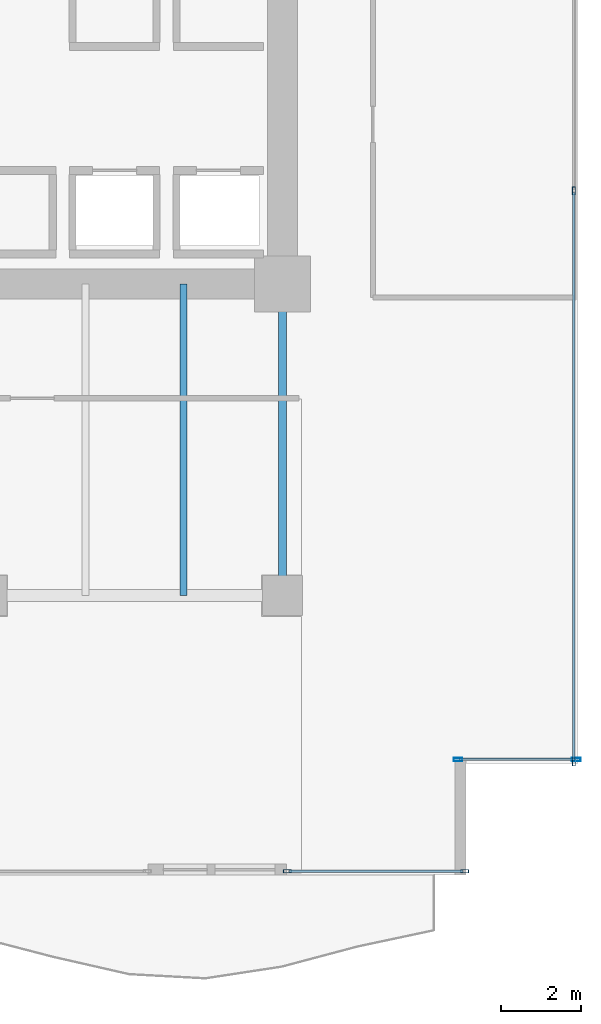
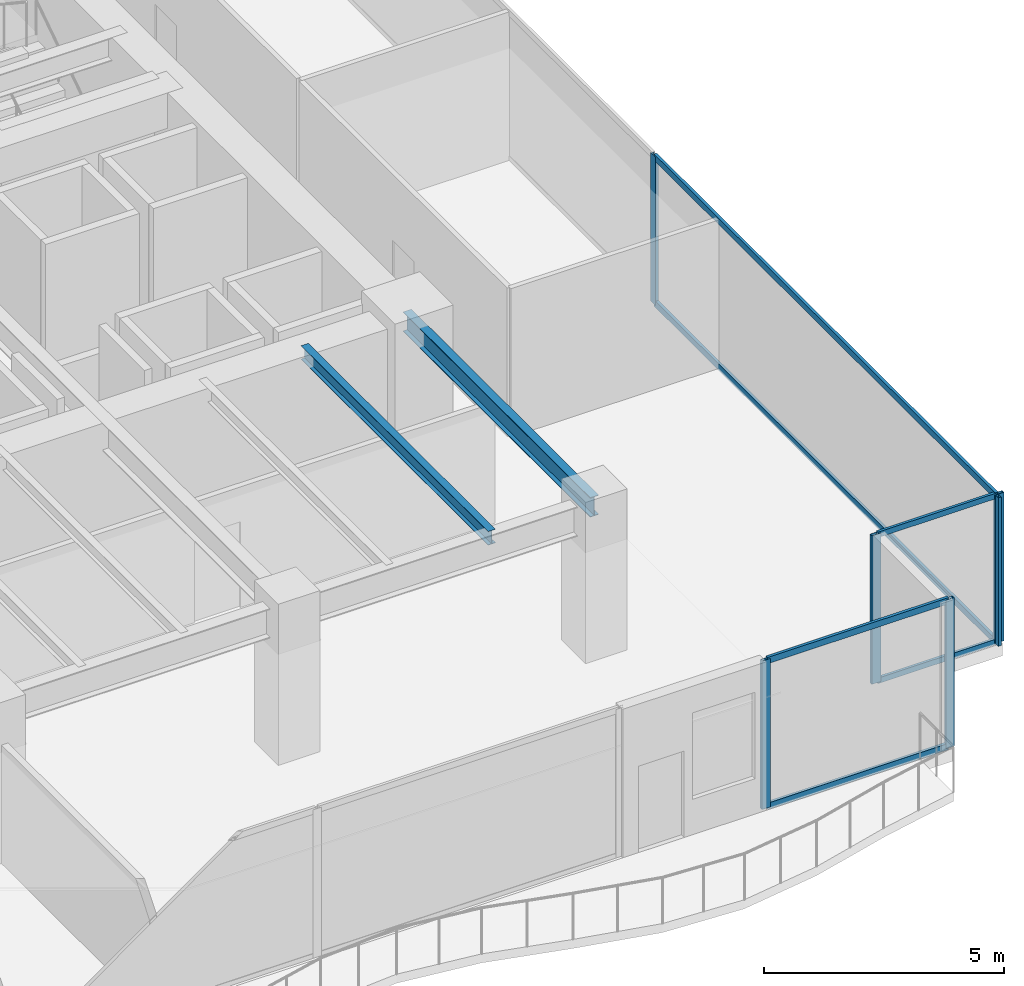
# One storey, part 20 of 32: 12 members, 2 beams, 3 elements without a shape of their own.
"""IFC4 building model written with IfcOpenShell, lengths in metres."""

from ifc_helpers import new_model, si_unit, direction, frame, origin, origin_2d, place, context, subcontext, project, spatial, hollow_rectangle, i_section, extrude, source, transform, mapped, material, layer, layer_set, material_profile, profile_set, type_object, type_shapes, element, aggregate, save


model = new_model("IFC4")

# Units and contexts
model_context = context("Model", 3, precision=1e-05, world=origin(), true_north=direction((0.0, 1.0)))
body_context = subcontext(model_context, "Body", "Model", "MODEL_VIEW")
ifc_project = project(units=[si_unit("LENGTHUNIT", "METRE"), si_unit("AREAUNIT", "SQUARE_METRE"), si_unit("VOLUMEUNIT", "CUBIC_METRE"), si_unit("PLANEANGLEUNIT", "RADIAN"), si_unit("MASSUNIT", "GRAM", prefix="KILO")], contexts=[model_context])

# Site, building, storey
site_placement = place(None, origin())
site = spatial("IfcSite", under=ifc_project, at=site_placement, CompositionType="ELEMENT")
building_placement = place(site_placement, origin())
building = spatial("IfcBuilding", under=site, at=building_placement, Name="Haelvirn Gate Laboratories", CompositionType="ELEMENT")
storey_placement = place(building_placement, frame((0.0, 0.0, 33.39990234375)))
storey = spatial("IfcBuildingStorey", under=building, at=storey_placement, Name="L08", CompositionType="ELEMENT", Elevation=33.39990234375)

# Beams
ifc_material_1 = material(Name="Steel SM355", Category="steel")
ifc_material_profile_1 = material_profile(ifc_material_1, i_section(OverallWidth=0.199951171875, OverallDepth=0.5, WebThickness=0.010009765625, FlangeThickness=0.01611328125, at=origin_2d()), Name="H-500x200x10x16")
ifc_profile_set_1 = profile_set([ifc_material_profile_1], Name="Steel SM355")
beam_type_1 = type_object("IfcBeamType", Name="BM-SP-500", PredefinedType="SPANDREL", material=ifc_profile_set_1)
shared_shape_1 = source(origin(), body_context, "Body", "SweptSolid", [
    extrude(i_section(OverallWidth=0.199951171875, OverallDepth=0.5, WebThickness=0.010009765625, FlangeThickness=0.01611328125, at=origin_2d()), origin(), (0.0, 0.0, 1.0), 7.800048828125),
])
type_shapes(beam_type_1, [shared_shape_1])
beam_1_placement = place(storey_placement, frame((67.39990234375, 7.0, 3.530029296875), z_axis=(0.0, 1.0, 0.0), x_axis=(-1.0, 0.0, 0.0)))
element("IfcBeam", 1, at=beam_1_placement, inside=storey, type_object=beam_type_1, Name="L08 Perimeter Spandrel X67.4 (7.0-14.8)", PredefinedType="SPANDREL", context=body_context, shape_type="MappedRepresentation", body=[
    mapped(shared_shape_1, transform((0.0, 0.0, 0.0), scale=1.0)),
])
ifc_material_profile_2 = material_profile(ifc_material_1, i_section(OverallWidth=0.175048828125, OverallDepth=0.35009765625, WebThickness=0.007080078125, FlangeThickness=0.010986328125, at=origin_2d()), Name="H-350x175x7x11")
ifc_profile_set_2 = profile_set([ifc_material_profile_2], Name="Steel SM355")
beam_type_2 = type_object("IfcBeamType", Name="BM-J-350", PredefinedType="JOIST", material=ifc_profile_set_2)
shared_shape_2 = source(origin(), body_context, "Body", "SweptSolid", [
    extrude(i_section(OverallWidth=0.175048828125, OverallDepth=0.35009765625, WebThickness=0.007080078125, FlangeThickness=0.010986328125, at=origin_2d()), origin(), (0.0, 0.0, 1.0), 7.800048828125),
])
type_shapes(beam_type_2, [shared_shape_2])
beam_2_placement = place(storey_placement, frame((64.929931640625, 7.0, 3.60498046875), z_axis=(0.0, 1.0, 0.0), x_axis=(-1.0, 0.0, 0.0)))
element("IfcBeam", 2, at=beam_2_placement, inside=storey, type_object=beam_type_2, Name="L08 Composite Lab Joist South X64.93", PredefinedType="JOIST", context=body_context, shape_type="MappedRepresentation", body=[
    mapped(shared_shape_2, transform((0.0, 0.0, 0.0), scale=1.0)),
])

# Curtain wall, members
ifc_material_2 = material(Name="Anodised bronze unitised aluminium & triple low-E glass", Category="aluminium")
ifc_layer_1 = layer(ifc_material_2, 0.18408203125, Name="CW-SYS-2")
ifc_layer_set_1 = layer_set([ifc_layer_1], Name="Anodised bronze unitised aluminium & triple low-E glass")
curtain_wall_type_1 = type_object("IfcCurtainWallType", Name="CW-SYS-2", PredefinedType="NOTDEFINED", material=ifc_layer_set_1)
curtain_wall_1_placement = place(storey_placement, origin())
curtain_wall_1 = element("IfcCurtainWall", 3, at=curtain_wall_1_placement, inside=storey, type_object=curtain_wall_type_1, Name="L08 Unitised Curtain Wall CW-L08-P0-E04-2", PredefinedType="NOTDEFINED")
ifc_material_3 = material(Name="Extruded aluminium 6063-T6 (anodised bronze)", Category="aluminium")
ifc_material_profile_3 = material_profile(ifc_material_3, hollow_rectangle(XDim=0.074951171875, YDim=0.199951171875, WallThickness=0.0048828125, at=origin_2d()), Name="CWM-200x75x5")
ifc_profile_set_3 = profile_set([ifc_material_profile_3], Name="Extruded aluminium 6063-T6 (anodised bronze)")
member_type_1 = type_object("IfcMemberType", Name="CWM-T200", PredefinedType="MULLION", material=ifc_profile_set_3)
shared_shape_3 = source(origin(), body_context, "Body", "SweptSolid", [
    extrude(hollow_rectangle(XDim=0.074951171875, YDim=0.199951171875, WallThickness=0.0048828125, at=origin_2d()), origin(), (0.0, 0.0, 1.0), 3.780029296875),
])
type_shapes(member_type_1, [shared_shape_3])
member_1_placement = place(storey_placement, frame((67.527587890625, 0.10009765625, 0.0), z_axis=(0.0, 0.0, 1.0), x_axis=(0.0, 1.0, 0.0)))
member_1 = element("IfcMember", 4, at=member_1_placement, type_object=member_type_1, Name="CW2 mullion 1", PredefinedType="MULLION", context=body_context, shape_type="MappedRepresentation", body=[
    mapped(shared_shape_3, transform((0.0, 0.0, 0.0), scale=1.0)),
])
member_2_placement = place(storey_placement, frame((71.96240234375, 0.10009765625, 0.0), z_axis=(0.0, 0.0, 1.0), x_axis=(0.0, 1.0, 0.0)))
member_2 = element("IfcMember", 5, at=member_2_placement, type_object=member_type_1, Name="CW2 mullion 2", PredefinedType="MULLION", context=body_context, shape_type="MappedRepresentation", body=[
    mapped(shared_shape_3, transform((0.0, 0.0, 0.0), scale=1.0)),
])

curtain_wall_2_placement = place(storey_placement, origin())
curtain_wall_2 = element("IfcCurtainWall", 6, at=curtain_wall_2_placement, inside=storey, type_object=curtain_wall_type_1, Name="L08 Unitised Curtain Wall CW-L08-P0-E07", PredefinedType="NOTDEFINED")
member_3_placement = place(storey_placement, frame((74.699951171875, 2.83740234375, 0.0), z_axis=(0.0, 0.0, 1.0), x_axis=(-1.0, 0.0, 0.0)))
member_3 = element("IfcMember", 7, at=member_3_placement, type_object=member_type_1, Name="CW2 mullion 1", PredefinedType="MULLION", context=body_context, shape_type="MappedRepresentation", body=[
    mapped(shared_shape_3, transform((0.0, 0.0, 0.0), scale=1.0)),
])
member_4_placement = place(storey_placement, frame((74.699951171875, 17.13330078125, 0.0), z_axis=(0.0, 0.0, 1.0), x_axis=(-1.0, 0.0, 0.0)))
member_4 = element("IfcMember", 8, at=member_4_placement, type_object=member_type_1, Name="CW2 mullion 2", PredefinedType="MULLION", context=body_context, shape_type="MappedRepresentation", body=[
    mapped(shared_shape_3, transform((0.0, 0.0, 0.0), scale=1.0)),
])

ifc_layer_2 = layer(ifc_material_2, 0.181884765625, Name="CW-SYS-5")
ifc_layer_set_2 = layer_set([ifc_layer_2], Name="Anodised bronze unitised aluminium & triple low-E glass")
curtain_wall_type_2 = type_object("IfcCurtainWallType", Name="CW-SYS-5", PredefinedType="NOTDEFINED", material=ifc_layer_set_2)
curtain_wall_3_placement = place(storey_placement, origin())
curtain_wall_3 = element("IfcCurtainWall", 9, at=curtain_wall_3_placement, inside=storey, type_object=curtain_wall_type_2, Name="L08 Unitised Curtain Wall CW-L08-P0-E06-1", PredefinedType="NOTDEFINED")
ifc_material_profile_4 = material_profile(ifc_material_3, hollow_rectangle(XDim=0.080078125, YDim=0.219970703125, WallThickness=0.006103515625, at=origin_2d()), Name="CWM-220x80x6")
ifc_profile_set_4 = profile_set([ifc_material_profile_4], Name="Extruded aluminium 6063-T6 (anodised bronze)")
member_type_2 = type_object("IfcMemberType", Name="CWM-T220", PredefinedType="MULLION", material=ifc_profile_set_4)
shared_shape_4 = source(origin(), body_context, "Body", "SweptSolid", [
    extrude(hollow_rectangle(XDim=0.080078125, YDim=0.219970703125, WallThickness=0.006103515625, at=origin_2d()), origin(), (0.0, 0.0, 1.0), 3.780029296875),
])
type_shapes(member_type_2, [shared_shape_4])
member_5_placement = place(storey_placement, frame((71.800048828125, 2.89990234375, 0.0), z_axis=(0.0, 0.0, 1.0), x_axis=(0.0, 1.0, 0.0)))
member_5 = element("IfcMember", 10, at=member_5_placement, type_object=member_type_2, Name="CW5 mullion 1", PredefinedType="MULLION", context=body_context, shape_type="MappedRepresentation", body=[
    mapped(shared_shape_4, transform((0.0, 0.0, 0.0), scale=1.0)),
])
member_6_placement = place(storey_placement, frame((74.760009765625, 2.89990234375, 0.0), z_axis=(0.0, 0.0, 1.0), x_axis=(0.0, 1.0, 0.0)))
member_6 = element("IfcMember", 11, at=member_6_placement, type_object=member_type_2, Name="CW5 mullion 2", PredefinedType="MULLION", context=body_context, shape_type="MappedRepresentation", body=[
    mapped(shared_shape_4, transform((0.0, 0.0, 0.0), scale=1.0)),
])
ifc_material_profile_5 = material_profile(ifc_material_3, hollow_rectangle(XDim=0.06494140625, YDim=0.139892578125, WallThickness=0.00390625, at=origin_2d()), Name="CWT-140x65x4")
ifc_profile_set_5 = profile_set([ifc_material_profile_5], Name="Extruded aluminium 6063-T6 (anodised bronze)")
member_type_3 = type_object("IfcMemberType", Name="CWT-T140", PredefinedType="USERDEFINED", material=ifc_profile_set_5)
shared_shape_5 = source(origin(), body_context, "Body", "SweptSolid", [
    extrude(hollow_rectangle(XDim=0.06494140625, YDim=0.139892578125, WallThickness=0.00390625, at=origin_2d()), origin(), (0.0, 0.0, 1.0), 2.8798828125),
])
type_shapes(member_type_3, [shared_shape_5])
member_7_placement = place(storey_placement, frame((71.840087890625, 2.89990234375, 0.03271484375), z_axis=(1.0, 0.0, 0.0), x_axis=(0.0, 1.0, 0.0)))
member_7 = element("IfcMember", 12, at=member_7_placement, type_object=member_type_3, Name="CW5 transom 1.1", ObjectType="TRANSOM", PredefinedType="USERDEFINED", context=body_context, shape_type="MappedRepresentation", body=[
    mapped(shared_shape_5, transform((0.0, 0.0, 0.0), scale=1.0)),
])
member_8_placement = place(storey_placement, frame((71.840087890625, 2.89990234375, 3.74755859375), z_axis=(1.0, 0.0, 0.0), x_axis=(0.0, 1.0, 0.0)))
member_8 = element("IfcMember", 13, at=member_8_placement, type_object=member_type_3, Name="CW5 transom 1.2", ObjectType="TRANSOM", PredefinedType="USERDEFINED", context=body_context, shape_type="MappedRepresentation", body=[
    mapped(shared_shape_5, transform((0.0, 0.0, 0.0), scale=1.0)),
])
aggregate(curtain_wall_3, [member_5, member_6, member_7, member_8])

# Member
ifc_material_profile_6 = material_profile(ifc_material_3, hollow_rectangle(XDim=0.070068359375, YDim=0.159912109375, WallThickness=0.0048828125, at=origin_2d()), Name="CWT-160x70x5")
ifc_profile_set_6 = profile_set([ifc_material_profile_6], Name="Extruded aluminium 6063-T6 (anodised bronze)")
member_type_4 = type_object("IfcMemberType", Name="CWT-T160", PredefinedType="USERDEFINED", material=ifc_profile_set_6)
shared_shape_6 = source(origin(), body_context, "Body", "SweptSolid", [
    extrude(hollow_rectangle(XDim=0.070068359375, YDim=0.159912109375, WallThickness=0.0048828125, at=origin_2d()), origin(), (0.0, 0.0, 1.0), 14.220947265625),
])
member_9_placement = place(storey_placement, frame((74.699951171875, 2.875, 0.03515625), z_axis=(0.0, 1.0, 0.0), x_axis=(-1.0, 0.0, 0.0)))
member_9 = element("IfcMember", 14, at=member_9_placement, type_object=member_type_4, Name="CW2 transom 1.1", ObjectType="TRANSOM", PredefinedType="USERDEFINED", context=body_context, shape_type="MappedRepresentation", body=[
    mapped(shared_shape_6, transform((0.0, 0.0, 0.0), scale=1.0)),
])

member_10_placement = place(storey_placement, frame((74.699951171875, 2.875, 3.7451171875), z_axis=(0.0, 1.0, 0.0), x_axis=(-1.0, 0.0, 0.0)))
member_10 = element("IfcMember", 15, at=member_10_placement, type_object=member_type_4, Name="CW2 transom 1.2", ObjectType="TRANSOM", PredefinedType="USERDEFINED", context=body_context, shape_type="MappedRepresentation", body=[
    mapped(shared_shape_6, transform((0.0, 0.0, 0.0), scale=1.0)),
])

aggregate(curtain_wall_2, [member_3, member_4, member_9, member_10])

shared_shape_7 = source(origin(), body_context, "Body", "SweptSolid", [
    extrude(hollow_rectangle(XDim=0.070068359375, YDim=0.159912109375, WallThickness=0.0048828125, at=origin_2d()), origin(), (0.0, 0.0, 1.0), 4.360107421875),
])
type_shapes(member_type_4, [shared_shape_6, shared_shape_7])
member_11_placement = place(storey_placement, frame((67.56494140625, 0.10009765625, 0.03515625), z_axis=(1.0, 0.0, 0.0), x_axis=(0.0, 1.0, 0.0)))
member_11 = element("IfcMember", 16, at=member_11_placement, type_object=member_type_4, Name="CW2 transom 1.1", ObjectType="TRANSOM", PredefinedType="USERDEFINED", context=body_context, shape_type="MappedRepresentation", body=[
    mapped(shared_shape_7, transform((0.0, 0.0, 0.0), scale=1.0)),
])

member_12_placement = place(storey_placement, frame((67.56494140625, 0.10009765625, 3.7451171875), z_axis=(1.0, 0.0, 0.0), x_axis=(0.0, 1.0, 0.0)))
member_12 = element("IfcMember", 17, at=member_12_placement, type_object=member_type_4, Name="CW2 transom 1.2", ObjectType="TRANSOM", PredefinedType="USERDEFINED", context=body_context, shape_type="MappedRepresentation", body=[
    mapped(shared_shape_7, transform((0.0, 0.0, 0.0), scale=1.0)),
])

aggregate(curtain_wall_1, [member_1, member_2, member_11, member_12])

save(model, "model.ifc")
